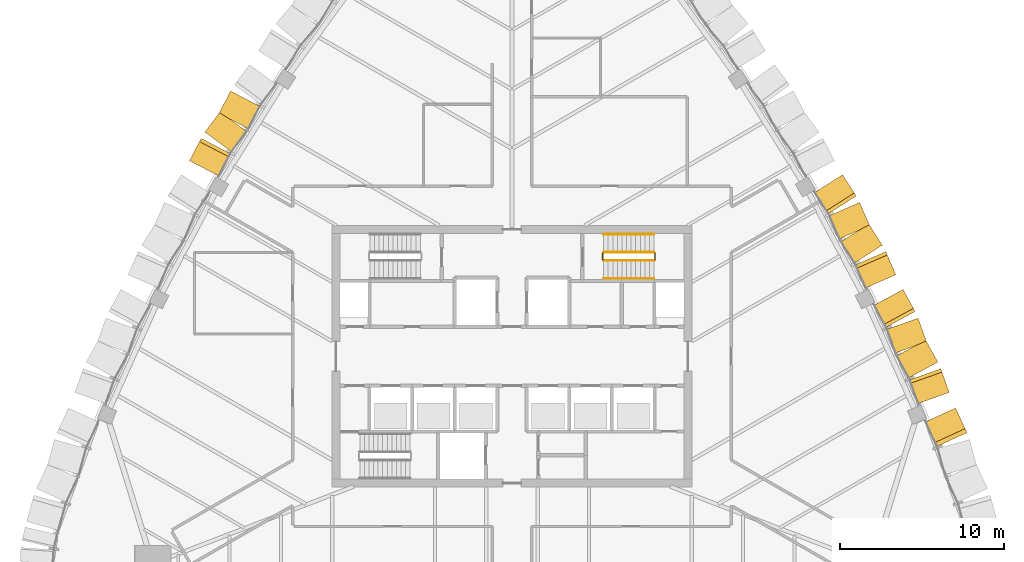
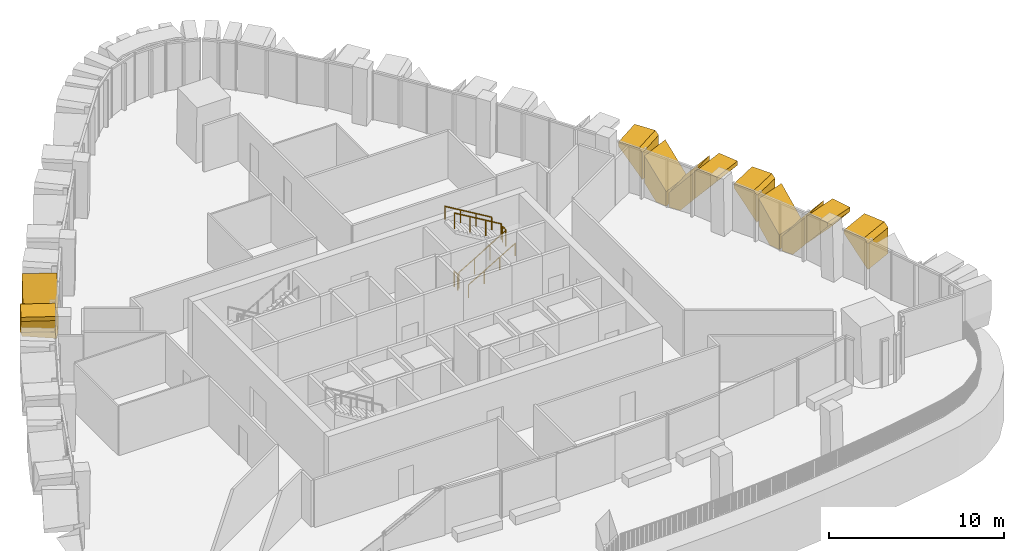
# One storey, part 20 of 22: 12 coverings, 6 railings.
"""IFC4 building model written with IfcOpenShell, lengths in metres."""

from ifc_helpers import new_model, si_unit, direction, frame, origin, origin_2d, place, context, subcontext, project, spatial, polyline, circle, outline, extrude, material, layer, layer_set, type_object, element, save


model = new_model("IFC4")

# Units and contexts
model_context = context("Model", 3, precision=1e-05, world=origin(), true_north=direction((0.0, 1.0)))
body_context = subcontext(model_context, "Body", "Model", "MODEL_VIEW")
ifc_project = project(units=[si_unit("LENGTHUNIT", "METRE"), si_unit("AREAUNIT", "SQUARE_METRE"), si_unit("VOLUMEUNIT", "CUBIC_METRE"), si_unit("PLANEANGLEUNIT", "RADIAN"), si_unit("MASSUNIT", "GRAM", prefix="KILO")], contexts=[model_context])

# Site, building, storey
site_placement = place(None, origin())
site = spatial("IfcSite", under=ifc_project, at=site_placement, CompositionType="ELEMENT")
building_placement = place(site_placement, origin())
building = spatial("IfcBuilding", under=site, at=building_placement, Name="Sierra Prisma Convention Tower", CompositionType="ELEMENT")
storey_placement = place(building_placement, frame((0.0, 0.0, 243.0)))
storey = spatial("IfcBuildingStorey", under=building, at=storey_placement, Name="L54", CompositionType="ELEMENT", Elevation=243.0)

# Coverings
ifc_material_1 = material(Name="Aluminium 6063-T6 bronze anodised", Category="aluminium")
ifc_layer = layer(ifc_material_1, 2.0)
ifc_layer_set = layer_set([ifc_layer], Name="Bronze crystal chevron frame")
covering_type = type_object("IfcCoveringType", Name="Bronze crystal chevron frame", PredefinedType="CLADDING", material=ifc_layer_set)
covering_1_placement = place(storey_placement, frame((27.10107421875, -3.15771484375, 3.280029296875), z_axis=(0.908388092158, 0.418128056738, 4.6831703e-05), x_axis=(0.418128057196, -0.908388093155, 3.236e-09)))
element("IfcCovering", 1, at=covering_1_placement, inside=storey, type_object=covering_type, Name="CW-2 chevron frame NE1.2.2", PredefinedType="CLADDING", context=body_context, shape_type="SweptSolid", body=[
    extrude(outline(polyline([(0.0, 0.0), (1.388113987573163, 3.3881317890172014e-21), (1.6623024733719811, 0.30688477134133996), (1.6623024675440052, 2.107666019366596), (-8.011886657743806e-10, 0.2475585934785262), (0.0, 0.0)])), origin(), (0.0, 0.0, -1.0), 2.0),
])
covering_2_placement = place(storey_placement, frame((26.712646484375, -2.208740234375, 3.280029296875), z_axis=(0.941888634827, 0.335925281662, 6.8733347e-05), x_axis=(6.4739159e-05, 2.3089269e-05, -0.999999997638)))
element("IfcCovering", 2, at=covering_2_placement, inside=storey, type_object=covering_type, Name="CW-2 chevron frame NE2.1.1", PredefinedType="CLADDING", context=body_context, shape_type="SweptSolid", body=[
    extrude(outline(polyline([(0.0, 0.0), (0.2905273430637348, 9.84344928938103e-22), (2.140136714940363, 1.5386242120355098), (0.26367187562282896, 1.5386242120355098), (-1.0237462687535872e-08, 1.319397821174943), (0.0, 0.0)])), origin(), (0.0, 0.0, -1.0), 2.0),
])
covering_3_placement = place(storey_placement, frame((26.014404296875, -0.35498046875, 2.860107421875), z_axis=(0.877692726768, 0.479223827927, -1.1179592e-05), x_axis=(-9.812247e-06, -5.357527e-06, -0.999999999938)))
element("IfcCovering", 3, at=covering_3_placement, inside=storey, type_object=covering_type, Name="CW-2 chevron frame NE2.1.2", PredefinedType="CLADDING", context=body_context, shape_type="SweptSolid", body=[
    extrude(outline(polyline([(0.0, 0.0), (1.8764648436327367, -1.5894275470206427e-21), (2.8601074221800284, 0.8180976018764157), (2.8601074218192064, 1.538519148556868), (1.8496093750073537, 1.538519148556868), (0.0, 0.0)])), origin(), (0.0, 0.0, -1.0), 2.0),
])
covering_4_placement = place(storey_placement, frame((25.327880859375, 0.882080078125, 0.0), z_axis=(0.941878558583, 0.335953539283, 1.8032483e-05), x_axis=(-0.335953539338, 0.941878558736, -1.303e-09)))
element("IfcCovering", 4, at=covering_4_placement, inside=storey, type_object=covering_type, Name="CW-2 chevron frame NE2.2.1", PredefinedType="CLADDING", context=body_context, shape_type="SweptSolid", body=[
    extrude(outline(polyline([(0.0, 0.0), (0.7203150566920922, -1.6940658945086007e-21), (1.5383942586974697, 0.9836425802898475), (1.5383942562519552, 2.860107423734762), (-1.3169377693796377e-09, 1.010498046710708), (0.0, 0.0)])), origin(), (0.0, 0.0, -1.0), 2.0),
])
covering_5_placement = place(storey_placement, frame((23.892578125, 4.086181640625, 3.280029296875), z_axis=(0.877687399931, 0.479233583408, -2.3150036e-05), x_axis=(0.479233583537, -0.877687400166, 8.8e-10)))
element("IfcCovering", 5, at=covering_5_placement, inside=storey, type_object=covering_type, Name="CW-2 chevron frame NE2.2.2", PredefinedType="CLADDING", context=body_context, shape_type="SweptSolid", body=[
    extrude(outline(polyline([(0.0, 0.0), (1.3193570118038398, 0.0), (1.538519148351966, 0.2636718764249116), (1.538519146700237, 2.14013671967209), (-2.5573216716030866e-10, 0.2905273436721497), (0.0, 0.0)])), origin(), (0.0, 0.0, -1.0), 2.0),
])
covering_6_placement = place(storey_placement, frame((23.455322265625, 4.978515625, 3.280029296875), z_axis=(0.916764310367, 0.399428586044, 6.2357075e-05), x_axis=(5.7166741e-05, 2.4907199e-05, -0.999999998056)))
element("IfcCovering", 6, at=covering_6_placement, inside=storey, type_object=covering_type, Name="CW-2 chevron frame NE3.1.1", PredefinedType="CLADDING", context=body_context, shape_type="SweptSolid", body=[
    extrude(outline(polyline([(0.0, 0.0), (0.28759765569085194, -9.744187615874666e-22), (2.1379394500050677, 1.5464366907487421), (0.26660156301832744, 1.5464366907487421), (-8.394815493758514e-09, 1.323603747664849), (0.0, 0.0)])), origin(), (0.0, 0.0, -1.0), 2.0),
])
covering_7_placement = place(storey_placement, frame((22.629150390625, 6.78759765625, 2.85791015625), z_axis=(0.842906677772, 0.538059784988, 1.8617719e-05), x_axis=(1.5693e-05, 1.0017446e-05, -0.999999999827)))
element("IfcCovering", 7, at=covering_7_placement, inside=storey, type_object=covering_type, Name="CW-2 chevron frame NE3.1.2", PredefinedType="CLADDING", context=body_context, shape_type="SweptSolid", body=[
    extrude(outline(polyline([(0.0, 0.0), (1.871337890300679, 0.0), (2.8579101570945467, 0.8245629740049889), (2.8579101560966618, 1.5463834230858662), (1.850341796896283, 1.5463834230858662), (0.0, 0.0)])), origin(), (0.0, 0.0, -1.0), 2.0),
])
covering_8_placement = place(storey_placement, frame((21.567138671875, 8.643310546875, 0.0), z_axis=(0.916770849961, 0.399413580872, 8.806304e-06), x_axis=(-0.25613538439, 0.587888614796, 0.767321081071)))
element("IfcCovering", 8, at=covering_8_placement, inside=storey, type_object=covering_type, Name="CW-2 chevron frame NE3.2.1", PredefinedType="CLADDING", context=body_context, shape_type="SweptSolid", body=[
    extrude(outline(polyline([(0.0, 0.0), (1.2857359066309013, -1.1102230246251565e-16), (2.7216529199150363, 1.200019929658844), (0.3101738715587288, 1.2000774934853848), (-0.46295457121017203, 0.5539610877838781), (0.0, 0.0)])), origin(), (0.0, 0.0, -1.0), 2.0),
])
covering_9_placement = place(storey_placement, frame((20.197509765625, 11.09423828125, 3.280029296875), z_axis=(0.843020180213, 0.537881923598, -0.000109631894), x_axis=(0.537881926833, -0.843020185278, 1.9604e-08)))
element("IfcCovering", 9, at=covering_9_placement, inside=storey, type_object=covering_type, Name="CW-2 chevron frame NE3.2.2", PredefinedType="CLADDING", context=body_context, shape_type="SweptSolid", body=[
    extrude(outline(polyline([(0.0, 0.0), (1.3236337468977148, -1.3552527156068805e-20), (1.5464578839594179, 0.2666015944189918), (1.5464578472736266, 2.137939473798044), (-5.638077246615839e-09, 0.28759765452166), (0.0, 0.0)])), origin(), (0.0, 0.0, -1.0), 2.0),
])
covering_10_placement = place(storey_placement, frame((-17.19287109375, 16.20361328125, 2.85791015625), z_axis=(-0.887407649419, 0.460985535234, 7.582963e-06), x_axis=(-6.729179e-06, 3.495636e-06, -0.999999999971)))
element("IfcCovering", 10, at=covering_10_placement, inside=storey, type_object=covering_type, Name="CW-2 chevron frame NW3.1.2", PredefinedType="CLADDING", context=body_context, shape_type="SweptSolid", body=[
    extrude(outline(polyline([(0.0, 0.0), (1.8713378905711977, -7.925424244023696e-22), (2.8579101563901035, 0.8245398446693022), (2.8579101562245626, 1.5464346094848922), (1.8503417968785307, 1.5464346094848922), (0.0, 0.0)])), origin(), (0.0, 0.0, -1.0), 2.0),
])
covering_11_placement = place(storey_placement, frame((-17.840087890625, 14.936767578125, 0.0), z_axis=(-0.804328745853, 0.594184540077, -3.047951e-05), x_axis=(-0.594184540353, -0.804328746226, -3.704e-09)))
element("IfcCovering", 11, at=covering_11_placement, inside=storey, type_object=covering_type, Name="CW-2 chevron frame NW3.2.1", PredefinedType="CLADDING", context=body_context, shape_type="SweptSolid", body=[
    extrude(outline(polyline([(0.0, 0.0), (0.7220410948905962, 1.6940658945086007e-21), (1.5465247941752802, 0.9865722718117305), (1.5465247872436758, 2.857910161567493), (-3.732124151807312e-09, 1.0075683589069842), (0.0, 0.0)])), origin(), (0.0, 0.0, -1.0), 2.0),
])
covering_12_placement = place(storey_placement, frame((-19.70654296875, 11.9443359375, 3.280029296875), z_axis=(-0.887407011618, 0.46098676264, -2.003766e-05), x_axis=(0.460986762733, 0.887407011796, 6.55e-10)))
element("IfcCovering", 12, at=covering_12_placement, inside=storey, type_object=covering_type, Name="CW-2 chevron frame NW3.2.2", PredefinedType="CLADDING", context=body_context, shape_type="SweptSolid", body=[
    extrude(outline(polyline([(0.0, 0.0), (1.3235647104055128, 1.6940658945086007e-21), (1.5464346093191579, 0.26660156356631287), (1.5464346080935805, 2.137939453815634), (-1.8835356710515593e-10, 0.28759765619226363), (0.0, 0.0)])), origin(), (0.0, 0.0, -1.0), 2.0),
])

# Railings
ifc_material_2 = material(Name="Stainless steel", Category="steel")
railing_type_1 = type_object("IfcRailingType", Name="Exit stair handrail", PredefinedType="HANDRAIL", material=ifc_material_2)
railing_1_placement = place(storey_placement, frame((5.60009765625, 4.75, 0.166748046875)))
element("IfcRailing", 13, at=railing_1_placement, inside=storey, type_object=railing_type_1, Name="L54 S4 stair handrail 1", PredefinedType="HANDRAIL", context=body_context, shape_type="SweptSolid", body=[
    extrude(circle(Radius=0.02392578125, at=origin_2d()), frame((0.0, 0.0, 0.8759765625), z_axis=(0.859290745958, 0.0, 0.51148745235), x_axis=(0.0, 1.0, 0.0)), (0.0, 0.0, 1.0), 3.584228515625),
    extrude(circle(Radius=0.02099609375, at=origin_2d()), origin(), (0.0, 0.0, 1.0), 0.851806640625),
    extrude(circle(Radius=0.02099609375, at=origin_2d()), frame((1.026611328125, 0.0, 0.611083984375)), (0.0, 0.0, 1.0), 0.851806640625),
    extrude(circle(Radius=0.02099609375, at=origin_2d()), frame((2.05322265625, 0.0, 1.22216796875)), (0.0, 0.0, 1.0), 0.851806640625),
    extrude(circle(Radius=0.02099609375, at=origin_2d()), frame((3.079833984375, 0.0, 1.833251953125)), (0.0, 0.0, 1.0), 0.851806640625),
])
railing_2_placement = place(storey_placement, frame((8.679931640625, 7.449951171875, 2.166748046875)))
element("IfcRailing", 14, at=railing_2_placement, inside=storey, type_object=railing_type_1, Name="L54 S4 stair handrail 2", PredefinedType="HANDRAIL", context=body_context, shape_type="SweptSolid", body=[
    extrude(circle(Radius=0.02392578125, at=origin_2d()), frame((0.0, 0.0, 0.8759765625), z_axis=(-0.859290745958, 0.0, 0.51148745235), x_axis=(0.0, -1.0, 0.0)), (0.0, 0.0, 1.0), 3.584228515625),
    extrude(circle(Radius=0.02099609375, at=origin_2d()), origin(), (0.0, 0.0, 1.0), 0.851806640625),
    extrude(circle(Radius=0.02099609375, at=origin_2d()), frame((-1.026611328125, 0.0, 0.611083984375)), (0.0, 0.0, 1.0), 0.851806640625),
    extrude(circle(Radius=0.02099609375, at=origin_2d()), frame((-2.05322265625, 0.0, 1.22216796875)), (0.0, 0.0, 1.0), 0.851806640625),
    extrude(circle(Radius=0.02099609375, at=origin_2d()), frame((-3.079833984375, 0.0, 1.833251953125)), (0.0, 0.0, 1.0), 0.851806640625),
])
ifc_material_3 = material(Name="Stainless steel", Category="steel")
railing_type_2 = type_object("IfcRailingType", Name="Stair guard 1100", PredefinedType="GUARDRAIL", material=ifc_material_3)
railing_3_placement = place(storey_placement, frame((5.60009765625, 5.85009765625, 0.166748046875)))
element("IfcRailing", 15, at=railing_3_placement, inside=storey, type_object=railing_type_2, Name="L54 S4 stair guard 1", PredefinedType="GUARDRAIL", context=body_context, shape_type="SweptSolid", body=[
    extrude(circle(Radius=0.02392578125, at=origin_2d()), frame((0.0, 0.0, 1.076171875), z_axis=(0.859290745958, 0.0, 0.51148745235), x_axis=(0.0, 1.0, 0.0)), (0.0, 0.0, 1.0), 3.584228515625),
    extrude(circle(Radius=0.02099609375, at=origin_2d()), origin(), (0.0, 0.0, 1.0), 1.052001953125),
    extrude(circle(Radius=0.02099609375, at=origin_2d()), frame((1.026611328125, 0.0, 0.611083984375)), (0.0, 0.0, 1.0), 1.052001953125),
    extrude(circle(Radius=0.02099609375, at=origin_2d()), frame((2.05322265625, 0.0, 1.22216796875)), (0.0, 0.0, 1.0), 1.052001953125),
    extrude(circle(Radius=0.02099609375, at=origin_2d()), frame((3.079833984375, 0.0, 1.833251953125)), (0.0, 0.0, 1.0), 1.052001953125),
])
railing_4_placement = place(storey_placement, frame((8.72998046875, 5.89990234375, 2.0)))
element("IfcRailing", 16, at=railing_4_placement, inside=storey, type_object=railing_type_2, Name="L54 S4 stair guard 2", PredefinedType="GUARDRAIL", context=body_context, shape_type="SweptSolid", body=[
    extrude(circle(Radius=0.02392578125, at=origin_2d()), frame((0.0, 0.0, 1.076171875), z_axis=(0.0, 1.0, 0.0), x_axis=(-1.0, 0.0, 0.0)), (0.0, 0.0, 1.0), 0.400146484375),
    extrude(circle(Radius=0.02099609375, at=origin_2d()), origin(), (0.0, 0.0, 1.0), 1.052001953125),
    extrude(circle(Radius=0.02099609375, at=origin_2d()), frame((0.0, 0.400146484375, 0.0)), (0.0, 0.0, 1.0), 1.052001953125),
])
railing_5_placement = place(storey_placement, frame((8.679931640625, 6.35009765625, 2.166748046875)))
element("IfcRailing", 17, at=railing_5_placement, inside=storey, type_object=railing_type_2, Name="L54 S4 stair guard 3", PredefinedType="GUARDRAIL", context=body_context, shape_type="SweptSolid", body=[
    extrude(circle(Radius=0.02392578125, at=origin_2d()), frame((0.0, 0.0, 1.076171875), z_axis=(-0.859290745958, 0.0, 0.51148745235), x_axis=(0.0, -1.0, 0.0)), (0.0, 0.0, 1.0), 3.584228515625),
    extrude(circle(Radius=0.02099609375, at=origin_2d()), origin(), (0.0, 0.0, 1.0), 1.052001953125),
    extrude(circle(Radius=0.02099609375, at=origin_2d()), frame((-1.026611328125, 0.0, 0.611083984375)), (0.0, 0.0, 1.0), 1.052001953125),
    extrude(circle(Radius=0.02099609375, at=origin_2d()), frame((-2.05322265625, 0.0, 1.22216796875)), (0.0, 0.0, 1.0), 1.052001953125),
    extrude(circle(Radius=0.02099609375, at=origin_2d()), frame((-3.079833984375, 0.0, 1.833251953125)), (0.0, 0.0, 1.0), 1.052001953125),
])
railing_6_placement = place(storey_placement, frame((5.550048828125, 5.89990234375, 0.0)))
element("IfcRailing", 18, at=railing_6_placement, inside=storey, type_object=railing_type_2, Name="L54 S4 stair guard 4", PredefinedType="GUARDRAIL", context=body_context, shape_type="SweptSolid", body=[
    extrude(circle(Radius=0.02392578125, at=origin_2d()), frame((0.0, 0.0, 1.076171875), z_axis=(0.0, 1.0, 0.0), x_axis=(-1.0, 0.0, 0.0)), (0.0, 0.0, 1.0), 0.400146484375),
    extrude(circle(Radius=0.02099609375, at=origin_2d()), origin(), (0.0, 0.0, 1.0), 1.052001953125),
    extrude(circle(Radius=0.02099609375, at=origin_2d()), frame((0.0, 0.400146484375, 0.0)), (0.0, 0.0, 1.0), 1.052001953125),
])

save(model, "model.ifc")
